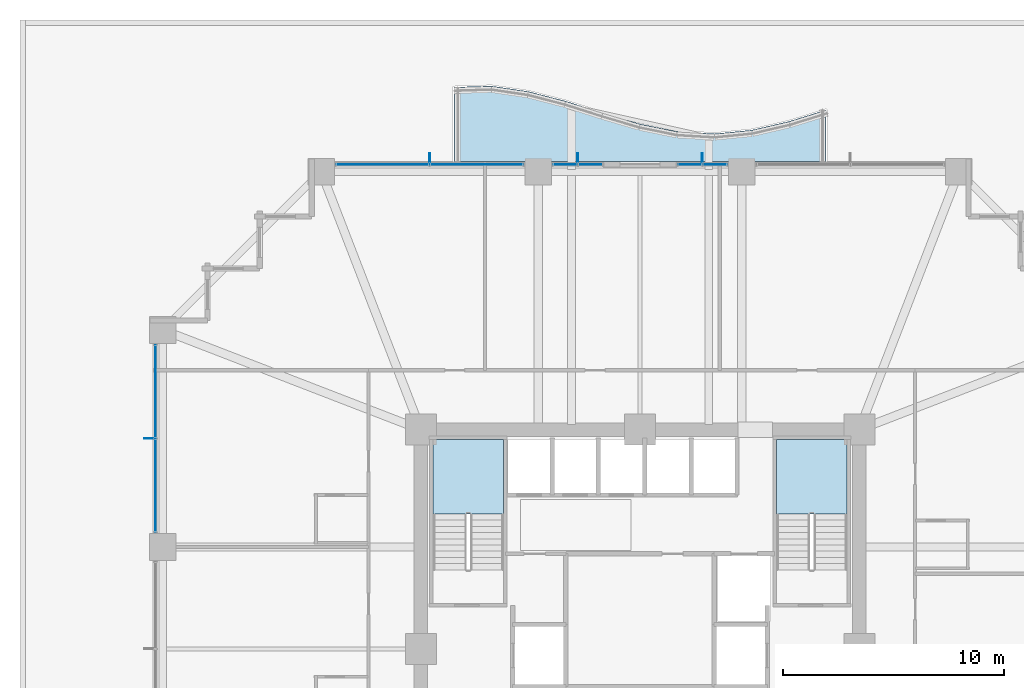
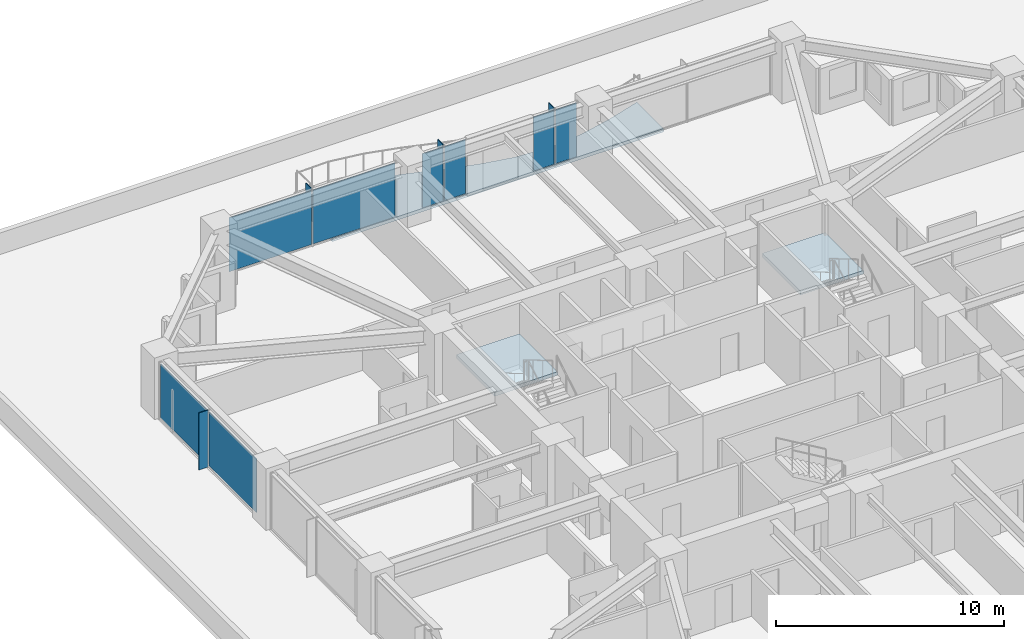
# One storey, part 28 of 36: 12 plates, 3 slabs, 6 elements without a shape of their own.
"""IFC4 building model written with IfcOpenShell, lengths in metres."""

from ifc_helpers import new_model, si_unit, direction, frame, origin, origin_2d, place, context, subcontext, project, spatial, polyline, rectangle, outline, extrude, material, layer, layer_set, type_object, element, aggregate, save


model = new_model("IFC4")

# Units and contexts
model_context = context("Model", 3, precision=1e-05, world=origin(), true_north=direction((0.0, 1.0)))
body_context = subcontext(model_context, "Body", "Model", "MODEL_VIEW")
ifc_project = project(units=[si_unit("LENGTHUNIT", "METRE"), si_unit("AREAUNIT", "SQUARE_METRE"), si_unit("VOLUMEUNIT", "CUBIC_METRE"), si_unit("PLANEANGLEUNIT", "RADIAN"), si_unit("MASSUNIT", "GRAM", prefix="KILO")], contexts=[model_context])

# Site, building, storey
site_placement = place(None, origin())
site = spatial("IfcSite", under=ifc_project, at=site_placement, CompositionType="ELEMENT")
building_placement = place(site_placement, origin())
building = spatial("IfcBuilding", under=site, at=building_placement, Name="Kolvaren Belvedere", CompositionType="ELEMENT")
storey_placement = place(building_placement, frame((0.0, 0.0, 23.800048828125)))
storey = spatial("IfcBuildingStorey", under=building, at=storey_placement, Name="L06", CompositionType="ELEMENT", Elevation=23.800048828125)

# Curtain wall, plates
ifc_material_1 = material(Name="Anodised pale-metal aluminium AA 6063-T6", Category="aluminium")
curtain_wall_type = type_object("IfcCurtainWallType", Name="CW-Z1-LOW", PredefinedType="NOTDEFINED", material=ifc_material_1)
curtain_wall_1_placement = place(storey_placement, origin())
curtain_wall_1 = element("IfcCurtainWall", 1, at=curtain_wall_1_placement, inside=storey, type_object=curtain_wall_type, Name="L06 Unitised Curtain Wall FCW-L06-N1-B1", PredefinedType="NOTDEFINED")
ifc_material_2 = material(Name="Low-iron triple insulated glass", Category="glass")
ifc_layer_1 = layer(ifc_material_2, 0.028076171875)
ifc_layer_set_1 = layer_set([ifc_layer_1], Name="Low-iron triple insulated glass")
plate_type_1 = type_object("IfcPlateType", Name="CW-PNL-VIS28", PredefinedType="CURTAIN_PANEL", material=ifc_layer_set_1)
plate_1_placement = place(storey_placement, frame((-11.62255859375, 21.8798828125, 0.080078125), z_axis=(0.0, 0.0, 1.0), x_axis=(1.0, 0.0, 0.0)))
plate_1 = element("IfcPlate", 2, at=plate_1_placement, type_object=plate_type_1, Name="FCW-L06-N1-B1 Vision Glazing Panel 1", PredefinedType="CURTAIN_PANEL", context=body_context, shape_type="SweptSolid", body=[
    extrude(rectangle(XDim=4.1650390625, YDim=0.028076171875, at=origin_2d()), origin(), (0.0, 0.0, 1.0), 2.89990234375),
])
plate_2_placement = place(storey_placement, frame((-7.37744140625, 21.8798828125, 0.080078125), z_axis=(0.0, 0.0, 1.0), x_axis=(1.0, 0.0, 0.0)))
plate_2 = element("IfcPlate", 3, at=plate_2_placement, type_object=plate_type_1, Name="FCW-L06-N1-B1 Vision Glazing Panel 2", PredefinedType="CURTAIN_PANEL", context=body_context, shape_type="SweptSolid", body=[
    extrude(rectangle(XDim=4.1650390625, YDim=0.028076171875, at=origin_2d()), origin(), (0.0, 0.0, 1.0), 2.89990234375),
])
aggregate(curtain_wall_1, [plate_1, plate_2])

curtain_wall_2_placement = place(storey_placement, origin())
curtain_wall_2 = element("IfcCurtainWall", 4, at=curtain_wall_2_placement, inside=storey, type_object=curtain_wall_type, Name="L06 Unitised Curtain Wall FCW-L06-N1-B2", PredefinedType="NOTDEFINED")
plate_3_placement = place(storey_placement, frame((-3.37890625, 21.8798828125, 0.080078125), z_axis=(0.0, 0.0, 1.0), x_axis=(1.0, 0.0, 0.0)))
plate_3 = element("IfcPlate", 5, at=plate_3_placement, type_object=plate_type_1, Name="FCW-L06-N1-B2 Vision Glazing Panel 1", PredefinedType="CURTAIN_PANEL", context=body_context, shape_type="SweptSolid", body=[
    extrude(rectangle(XDim=1.052490234375, YDim=0.028076171875, at=origin_2d()), origin(), (0.0, 0.0, 1.0), 2.89990234375),
])
plate_4_placement = place(storey_placement, frame((-2.24609375, 21.8798828125, 0.080078125), z_axis=(0.0, 0.0, 1.0), x_axis=(1.0, 0.0, 0.0)))
plate_4 = element("IfcPlate", 6, at=plate_4_placement, type_object=plate_type_1, Name="FCW-L06-N1-B2 Vision Glazing Panel 2", PredefinedType="CURTAIN_PANEL", context=body_context, shape_type="SweptSolid", body=[
    extrude(rectangle(XDim=1.052490234375, YDim=0.028076171875, at=origin_2d()), origin(), (0.0, 0.0, 1.0), 2.89990234375),
])
aggregate(curtain_wall_2, [plate_3, plate_4])

curtain_wall_3_placement = place(storey_placement, origin())
curtain_wall_3 = element("IfcCurtainWall", 7, at=curtain_wall_3_placement, inside=storey, type_object=curtain_wall_type, Name="L06 Unitised Curtain Wall FCW-L06-N2-B1", PredefinedType="NOTDEFINED")
plate_5_placement = place(storey_placement, frame((2.24609375, 21.8798828125, 0.080078125), z_axis=(0.0, 0.0, 1.0), x_axis=(1.0, 0.0, 0.0)))
plate_5 = element("IfcPlate", 8, at=plate_5_placement, type_object=plate_type_1, Name="FCW-L06-N2-B1 Vision Glazing Panel 1", PredefinedType="CURTAIN_PANEL", context=body_context, shape_type="SweptSolid", body=[
    extrude(rectangle(XDim=1.052490234375, YDim=0.028076171875, at=origin_2d()), origin(), (0.0, 0.0, 1.0), 2.89990234375),
])
plate_6_placement = place(storey_placement, frame((3.378662109375, 21.8798828125, 0.080078125), z_axis=(0.0, 0.0, 1.0), x_axis=(1.0, 0.0, 0.0)))
plate_6 = element("IfcPlate", 9, at=plate_6_placement, type_object=plate_type_1, Name="FCW-L06-N2-B1 Vision Glazing Panel 2", PredefinedType="CURTAIN_PANEL", context=body_context, shape_type="SweptSolid", body=[
    extrude(rectangle(XDim=1.052490234375, YDim=0.028076171875, at=origin_2d()), origin(), (0.0, 0.0, 1.0), 2.89990234375),
])
aggregate(curtain_wall_3, [plate_5, plate_6])

curtain_wall_4_placement = place(storey_placement, origin())
curtain_wall_4 = element("IfcCurtainWall", 10, at=curtain_wall_4_placement, inside=storey, type_object=curtain_wall_type, Name="L06 Unitised Curtain Wall FCW-L06-W-B3", PredefinedType="NOTDEFINED")
plate_7_placement = place(storey_placement, frame((-21.8798828125, 7.37744140625, 0.080078125), z_axis=(0.0, 0.0, 1.0), x_axis=(0.0, 1.0, 0.0)))
plate_7 = element("IfcPlate", 11, at=plate_7_placement, type_object=plate_type_1, Name="FCW-L06-W-B3 Vision Glazing Panel 1", PredefinedType="CURTAIN_PANEL", context=body_context, shape_type="SweptSolid", body=[
    extrude(rectangle(XDim=4.1650390625, YDim=0.028076171875, at=origin_2d()), origin(), (0.0, 0.0, 1.0), 2.89990234375),
])
plate_8_placement = place(storey_placement, frame((-21.8798828125, 11.62255859375, 0.080078125), z_axis=(0.0, 0.0, 1.0), x_axis=(0.0, 1.0, 0.0)))
plate_8 = element("IfcPlate", 12, at=plate_8_placement, type_object=plate_type_1, Name="FCW-L06-W-B3 Vision Glazing Panel 2", PredefinedType="CURTAIN_PANEL", context=body_context, shape_type="SweptSolid", body=[
    extrude(rectangle(XDim=4.1650390625, YDim=0.028076171875, at=origin_2d()), origin(), (0.0, 0.0, 1.0), 2.89990234375),
])
aggregate(curtain_wall_4, [plate_7, plate_8])

# Plates
ifc_material_3 = material(Name="Anodised pale-metal aluminium AA 6063-T6", Category="aluminium")
ifc_layer_2 = layer(ifc_material_3, 0.0380859375)
ifc_layer_set_2 = layer_set([ifc_layer_2], Name="Anodised pale-metal aluminium AA 6063-T6")
plate_type_2 = type_object("IfcPlateType", Name="FIN-VERT-450", PredefinedType="USERDEFINED", material=ifc_layer_set_2)
for number, where, z_axis, x_axis, name in (
    (13, (-9.5, 22.1650390625, 0.0), (0.0, 0.0, 1.0), (0.0, 1.0, 0.0), "L06 Pale-Metal Vertical Shading Fin FCW-L06-N1-B1-1"),
    (14, (-2.8125, 22.1650390625, 0.0), (0.0, 0.0, 1.0), (0.0, 1.0, 0.0), "L06 Pale-Metal Vertical Shading Fin FCW-L06-N1-B2-1"),
    (15, (2.8125, 22.1650390625, 0.0), (0.0, 0.0, 1.0), (0.0, 1.0, 0.0), "L06 Pale-Metal Vertical Shading Fin FCW-L06-N2-B1-1"),
    (16, (-22.1650390625, 9.5, 0.0), (0.0, 0.0, 1.0), (1.0, 0.0, 0.0), "L06 Pale-Metal Vertical Shading Fin FCW-L06-W-B3-1"),
):
    element("IfcPlate", number, at=place(storey_placement, frame(where, z_axis=z_axis, x_axis=x_axis)), inside=storey, type_object=plate_type_2, Name=name, ObjectType="VERTICAL FIN", PredefinedType="USERDEFINED", context=body_context, shape_type="SweptSolid", body=[
        extrude(rectangle(XDim=0.449951171875, YDim=0.0380859375, at=origin_2d()), origin(), (0.0, 0.0, 1.0), 3.06005859375),
    ])

# Slab
ifc_material_4 = material(Name="Concrete C50/60", Category="concrete")
ifc_layer_3 = layer(ifc_material_4, 0.179931640625)
ifc_layer_set_3 = layer_set([ifc_layer_3], Name="Concrete C50/60")
slab_type_1 = type_object("IfcSlabType", Name="SL-BAL-180", PredefinedType="FLOOR", material=ifc_layer_set_3)
slab_1_placement = place(storey_placement, frame((0.0, 0.0, -0.239990234375)))
element("IfcSlab", 17, at=slab_1_placement, inside=storey, type_object=slab_type_1, Name="L06 Planted Balcony BAL-N", PredefinedType="FLOOR", context=body_context, shape_type="SweptSolid", body=[
    extrude(outline(polyline([(-8.39990234375, 22.0), (-6.719970703125, 22.0), (-5.0400390625, 22.0), (-3.360107421875, 22.0), (-1.679931640625, 22.0), (0.0, 22.0), (1.679931640625, 22.0), (3.360107421875, 22.0), (5.0400390625, 22.0), (6.719970703125, 22.0), (8.39990234375, 22.0), (8.39990234375, 24.340087890625), (6.719970703125, 23.819580078125), (5.0400390625, 23.427978515625), (3.360107421875, 23.26220703125), (1.679931640625, 23.36279296875), (0.0, 23.705078125), (-1.679931640625, 24.20458984375), (-3.360107421875, 24.737548828125), (-5.0400390625, 25.172119140625), (-6.719970703125, 25.419921875), (-8.39990234375, 25.3671875), (-8.39990234375, 22.0)])), origin(), (0.0, 0.0, 1.0), 0.179931640625),
])

# Stair, slab
ifc_material_5 = material(Name="Concrete C50/60", Category="concrete")
stair_type = type_object("IfcStairType", Name="ST-CORE-1520", PredefinedType="HALF_TURN_STAIR", material=ifc_material_5)
stair_1_placement = place(storey_placement, origin())
stair_1 = element("IfcStair", 18, at=stair_1_placement, inside=storey, type_object=stair_type, Name="L06 Protected Exit Stair ST-1", PredefinedType="HALF_TURN_STAIR")
ifc_material_6 = material(Name="Concrete C50/60", Category="concrete")
ifc_layer_4 = layer(ifc_material_6, 0.260009765625)
ifc_layer_set_4 = layer_set([ifc_layer_4], Name="Concrete C50/60")
slab_type_2 = type_object("IfcSlabType", Name="SL-LAND-260", PredefinedType="LANDING", material=ifc_layer_set_4)
slab_2_placement = place(storey_placement, frame((0.0, 0.0, 1.449951171875)))
slab_2 = element("IfcSlab", 19, at=slab_2_placement, type_object=slab_type_2, Name="ST-1 landing 1", PredefinedType="LANDING", context=body_context, shape_type="SweptSolid", body=[
    extrude(outline(polyline([(-6.159912109375, 6.090087890625), (-6.159912109375, 9.449951171875), (-9.35009765625, 9.449951171875), (-9.35009765625, 6.090087890625), (-6.159912109375, 6.090087890625)])), origin(), (0.0, 0.0, 1.0), 0.199951171875),
])
aggregate(stair_1, [slab_2])

stair_2_placement = place(storey_placement, origin())
stair_2 = element("IfcStair", 20, at=stair_2_placement, inside=storey, type_object=stair_type, Name="L06 Protected Exit Stair ST-2", PredefinedType="HALF_TURN_STAIR")
slab_3_placement = place(storey_placement, frame((0.0, 0.0, 1.449951171875)))
slab_3 = element("IfcSlab", 21, at=slab_3_placement, type_object=slab_type_2, Name="ST-2 landing 1", PredefinedType="LANDING", context=body_context, shape_type="SweptSolid", body=[
    extrude(outline(polyline([(9.35009765625, 6.090087890625), (9.35009765625, 9.449951171875), (6.159912109375, 9.449951171875), (6.159912109375, 6.090087890625), (9.35009765625, 6.090087890625)])), origin(), (0.0, 0.0, 1.0), 0.199951171875),
])
aggregate(stair_2, [slab_3])

save(model, "model.ifc")
